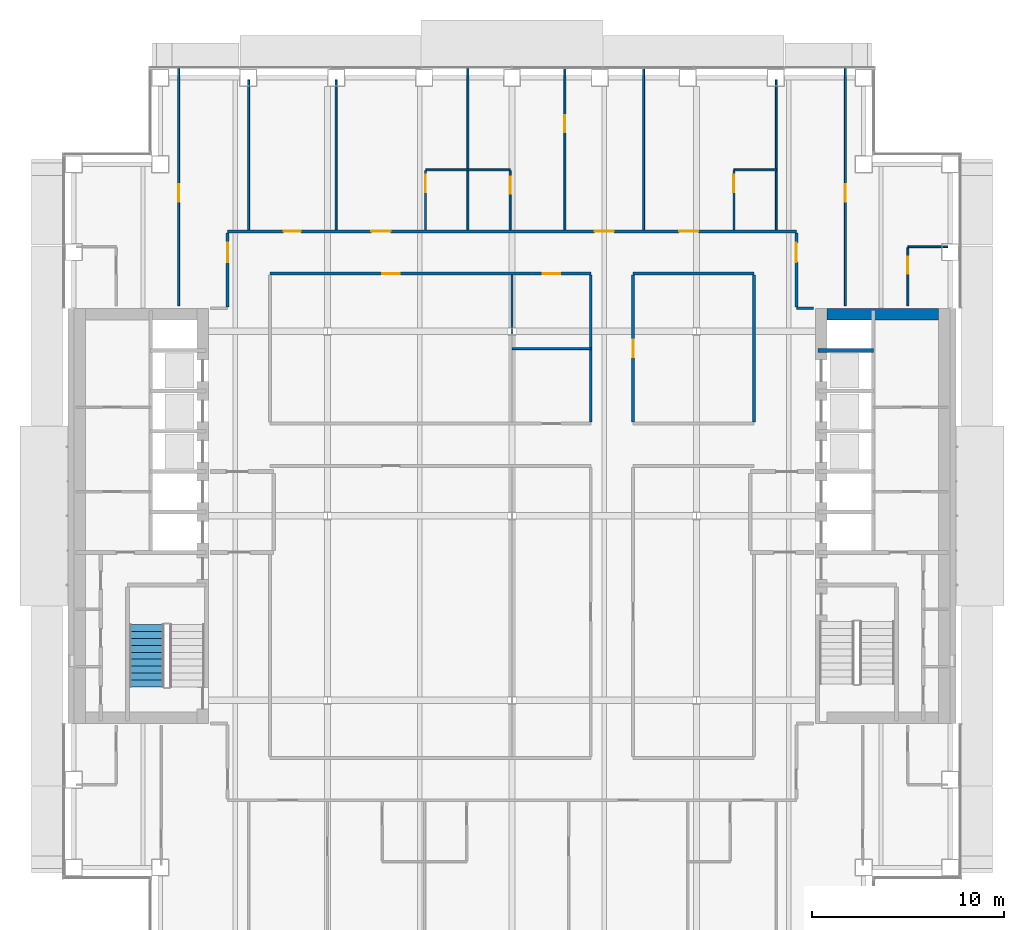
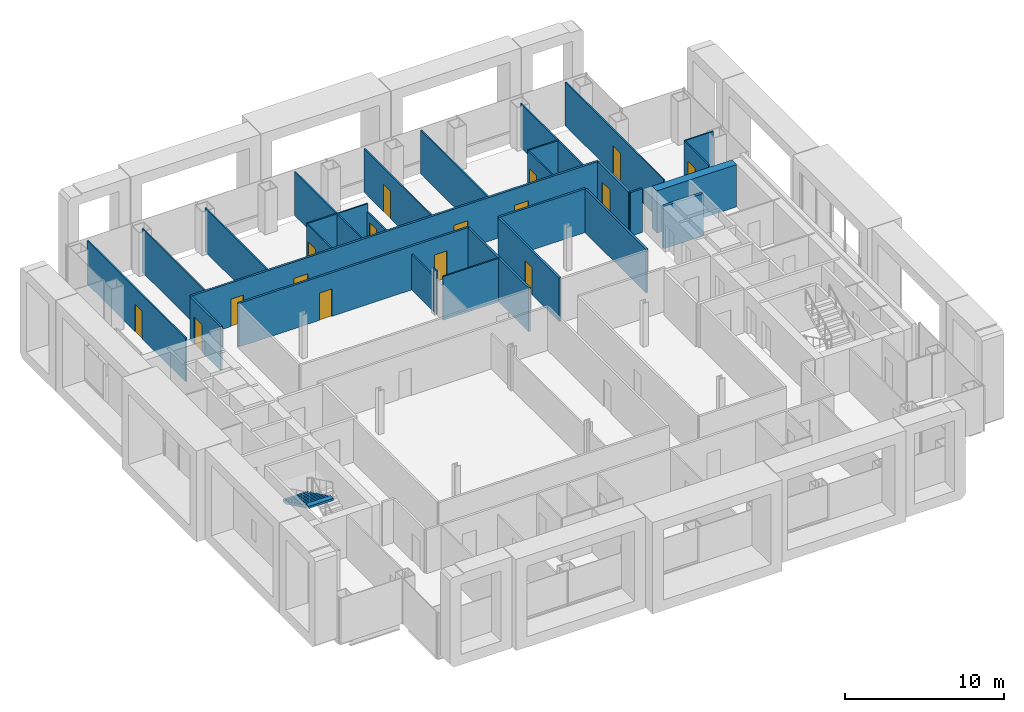
# One storey, part 13 of 20: 30 walls, 16 doors, 1 stair flight, 16 openings, 1 element without a shape of its own.
"""IFC4 building model written with IfcOpenShell, lengths in metres."""

import ifcopenshell
import ifcopenshell.guid

model = None  # the IFC model being written
_history = None  # IfcOwnerHistory: only IFC2X3 demands one
_inside = {}  # id of a spatial element -> (the spatial element, [elements in it])
_under = {}  # id of a project, library or spatial element -> (it, [spatial elements below it])
_declared = {}  # id of a project -> (the project, [libraries it declares])
_typed = {}  # id of a type object -> (the type object, [elements of that type])
_made_of = {}  # id of a material, layer set ... -> (it, [elements and type objects made of it])


def new_model(schema):
    """Start an empty IFC model of exactly this schema.

    Asked for "IFC4X3", IfcOpenShell would pick the latest addendum, in which some entities
    have other attributes; the version numbers below select the first issue.
    IFC2X3 requires an IfcOwnerHistory on every rooted entity: one is made here for all.
    """
    global model, _history
    if schema == "IFC4X3":
        model = ifcopenshell.file(schema_version=(4, 3, 0, 0))
    else:
        model = ifcopenshell.file(schema=schema)
    _inside.clear()
    _under.clear()
    _declared.clear()
    _typed.clear()
    _made_of.clear()
    _history = None
    if model.schema == "IFC2X3":
        org = make("IfcOrganization", Name="unknown")
        user = make(
            "IfcPersonAndOrganization",
            ThePerson=make("IfcPerson", FamilyName="unknown"),
            TheOrganization=org,
        )
        app = make(
            "IfcApplication",
            ApplicationDeveloper=org,
            Version="unknown",
            ApplicationFullName="unknown",
            ApplicationIdentifier="unknown",
        )
        _history = make(
            "IfcOwnerHistory",
            OwningUser=user,
            OwningApplication=app,
            ChangeAction="ADDED",
            CreationDate=0,
        )
    return model


def make(cls, **values):
    """One entity of the class cls with the attributes given. An attribute that is None is left unset."""
    return model.create_entity(
        cls, **{name: value for name, value in values.items() if value is not None}
    )


def rooted(cls, **values):
    """An entity with a GlobalId (a new one), such as an element, a storey or a relation."""
    return make(cls, GlobalId=ifcopenshell.guid.new(), OwnerHistory=_history, **values)


def si_unit(unit_type, name, prefix=None):
    """IfcSIUnit, for example si_unit("LENGTHUNIT", "METRE", prefix="MILLI")."""
    return make("IfcSIUnit", UnitType=unit_type, Prefix=prefix, Name=name)


def assignment(units):
    """IfcUnitAssignment: the units of a project."""
    return None if units is None else make("IfcUnitAssignment", Units=units)


def point(xyz):
    """IfcCartesianPoint."""
    return None if xyz is None else make("IfcCartesianPoint", Coordinates=xyz)


def direction(xyz):
    """IfcDirection."""
    return None if xyz is None else make("IfcDirection", DirectionRatios=xyz)


def frame(location, z_axis=None, x_axis=None):
    """IfcAxis2Placement3D, a coordinate frame: its origin and axes. An axis left out is left unset."""
    return make(
        "IfcAxis2Placement3D",
        Location=point(location),
        Axis=direction(z_axis),
        RefDirection=direction(x_axis),
    )


def frame_2d(location, x_axis=None):
    """IfcAxis2Placement2D, a coordinate frame in the plane: its origin and x axis."""
    return make(
        "IfcAxis2Placement2D", Location=point(location), RefDirection=direction(x_axis)
    )


def origin():
    """The frame at (0, 0, 0) with its axes left unset."""
    return frame((0.0, 0.0, 0.0))


def place(relative_to, where):
    """IfcLocalPlacement: puts the frame where relative to a parent placement (None: the world)."""
    return make(
        "IfcLocalPlacement", PlacementRelTo=relative_to, RelativePlacement=where
    )


def context(
    kind, dimensions, precision=None, world=None, true_north=None, identifier=None
):
    """IfcGeometricRepresentationContext, for example the 3D "Model" context."""
    return make(
        "IfcGeometricRepresentationContext",
        ContextIdentifier=identifier,
        ContextType=kind,
        CoordinateSpaceDimension=dimensions,
        Precision=precision,
        WorldCoordinateSystem=world,
        TrueNorth=true_north,
    )


def subcontext(parent, identifier, kind, view, scale=None):
    """IfcGeometricRepresentationSubContext, for example "Body" below "Model"."""
    return make(
        "IfcGeometricRepresentationSubContext",
        ContextIdentifier=identifier,
        ContextType=kind,
        ParentContext=parent,
        TargetScale=scale,
        TargetView=view,
    )


def project(units=None, contexts=None):
    """IfcProject with its units and contexts."""
    return rooted(
        "IfcProject",
        Name="project",
        RepresentationContexts=contexts,
        UnitsInContext=assignment(units),
    )


def spatial(cls, under=None, at=None, **own):
    """A site, building, storey or space (cls), placed at a placement, below another one or the project."""
    s = rooted(cls, ObjectPlacement=at, **own)
    if under is not None:
        _under.setdefault(under.id(), (under, []))[1].append(s)
    return s


def polyline(points):
    """IfcPolyline through the points."""
    return make("IfcPolyline", Points=[point(p) for p in points])


def profile(cls, at=None, kind="AREA", **sizes):
    """A parametric profile (cls). Its sizes go by their IFC names, for example OverallWidth=200.0."""
    return make(cls, ProfileType=kind, Position=at, **sizes)


def rectangle(**sizes):
    """IfcRectangleProfileDef."""
    return profile("IfcRectangleProfileDef", **sizes)


def outline(outer, holes=None, kind="AREA"):
    """IfcArbitraryClosedProfileDef: a profile drawn as a closed curve; with holes, ...WithVoids."""
    if holes is None:
        return make("IfcArbitraryClosedProfileDef", ProfileType=kind, OuterCurve=outer)
    return make(
        "IfcArbitraryProfileDefWithVoids",
        ProfileType=kind,
        OuterCurve=outer,
        InnerCurves=holes,
    )


def extrude(swept, where, along, depth):
    """IfcExtrudedAreaSolid: the profile swept, set in the frame where, extruded along a direction by depth."""
    return make(
        "IfcExtrudedAreaSolid",
        SweptArea=swept,
        Position=where,
        ExtrudedDirection=direction(along),
        Depth=depth,
    )


def shape(context_of_items, identifier, shape_type, items):
    """IfcShapeRepresentation: the items that make up one representation, for example the "Body"."""
    return make(
        "IfcShapeRepresentation",
        ContextOfItems=context_of_items,
        RepresentationIdentifier=identifier,
        RepresentationType=shape_type,
        Items=items,
    )


def material(Name=None, Category=None):
    """IfcMaterial."""
    return make("IfcMaterial", Name=Name, Category=Category)


def layer(
    of_material, thickness, ventilated=None, Name=None, Category=None, Priority=None
):
    """IfcMaterialLayer: one layer of a wall or slab, of a material (None: an air gap)."""
    return make(
        "IfcMaterialLayer",
        Material=of_material,
        LayerThickness=thickness,
        IsVentilated=ventilated,
        Name=Name,
        Category=Category,
        Priority=Priority,
    )


def layer_set(layers, Name=None):
    """IfcMaterialLayerSet."""
    return make("IfcMaterialLayerSet", MaterialLayers=layers, LayerSetName=Name)


def made_of(thing, what):
    """Note that an element or type object is made of a material, layer set ...; save() writes the relation."""
    if what is not None:
        _made_of.setdefault(what.id(), (what, []))[1].append(thing)
    return thing


def type_object(cls, material=None, **own):
    """A type object (cls), such as IfcWallType, which elements share."""
    return made_of(rooted(cls, **own), material)


def element(
    cls,
    number,
    at=None,
    inside=None,
    cuts=None,
    type_object=None,
    material=None,
    context=None,
    identifier="Body",
    shape_type=None,
    held_by="IfcProductDefinitionShape",
    body=None,
    shapes=None,
    **own,
):
    """One element of the class cls, such as IfcWall. Its Tag is "e" and its number.

    at: its placement. inside: the storey or other place that contains it. cuts: it is an
    opening in that element (IfcRelVoidsElement). A single representation is given by context,
    identifier, shape_type and body (its items); several are given by shapes. held_by: the class
    of the entity that holds the representations. save() writes the other relations.
    """
    e = rooted(cls, Tag="e%d" % number, ObjectPlacement=at, **own)
    if body is not None:
        shapes = [shape(context, identifier, shape_type, body)]
    if shapes is not None:
        e.Representation = make(held_by, Representations=shapes)
    if inside is not None:
        _inside.setdefault(inside.id(), (inside, []))[1].append(e)
    if cuts is not None:
        rooted(
            "IfcRelVoidsElement", RelatingBuildingElement=cuts, RelatedOpeningElement=e
        )
    if type_object is not None:
        _typed.setdefault(type_object.id(), (type_object, []))[1].append(e)
    return made_of(e, material)


def fill(opening, filler):
    """IfcRelFillsElement: the door or window that sits in an opening."""
    return rooted(
        "IfcRelFillsElement",
        RelatingOpeningElement=opening,
        RelatedBuildingElement=filler,
    )


def aggregate(whole, parts):
    """IfcRelAggregates: a whole, such as a stair, and the parts it consists of."""
    return rooted("IfcRelAggregates", RelatingObject=whole, RelatedObjects=parts)


def save(model, path):
    """Write the relations noted so far, then the file.

    IfcRelAggregates (storeys below a building ...), IfcRelContainedInSpatialStructure (elements
    in a storey), IfcRelDefinesByType, IfcRelAssociatesMaterial and IfcRelDeclares: one each for
    every whole, place, type object, material and project.
    """
    for whole, parts in _under.values():
        aggregate(whole, parts)
    for where, things in _inside.values():
        rooted(
            "IfcRelContainedInSpatialStructure",
            RelatedElements=things,
            RelatingStructure=where,
        )
    for kind, things in _typed.values():
        rooted("IfcRelDefinesByType", RelatedObjects=things, RelatingType=kind)
    for what, things in _made_of.values():
        rooted("IfcRelAssociatesMaterial", RelatedObjects=things, RelatingMaterial=what)
    for by, libraries in _declared.values():
        rooted("IfcRelDeclares", RelatingContext=by, RelatedDefinitions=libraries)
    model.write(path)


model = new_model("IFC4")

# Units and contexts
model_context = context("Model", 3, precision=1e-05, world=origin(), true_north=direction((0.0, 1.0)))
body_context = subcontext(model_context, "Body", "Model", "MODEL_VIEW")
ifc_project = project(units=[si_unit("LENGTHUNIT", "METRE"), si_unit("AREAUNIT", "SQUARE_METRE"), si_unit("VOLUMEUNIT", "CUBIC_METRE"), si_unit("PLANEANGLEUNIT", "RADIAN"), si_unit("MASSUNIT", "GRAM", prefix="KILO")], contexts=[model_context])

# Site, building, storey
site_placement = place(None, origin())
site = spatial("IfcSite", under=ifc_project, at=site_placement, CompositionType="ELEMENT")
building_placement = place(site_placement, origin())
building = spatial("IfcBuilding", under=site, at=building_placement, Name="Cobrizo Arcos Hotel Tower", CompositionType="ELEMENT")
storey_placement = place(building_placement, frame((0.0, 0.0, 110.0)))
storey = spatial("IfcBuildingStorey", under=building, at=storey_placement, Name="L27", CompositionType="ELEMENT", Elevation=110.0)

# Wall
ifc_material_1 = material(Name="Gypsum board partition")
ifc_layer_1 = layer(ifc_material_1, 0.14990234375)
ifc_layer_set_1 = layer_set([ifc_layer_1], Name="Corridor wall EI 60 150")
wall_type_1 = type_object("IfcWallType", Name="Corridor wall EI 60 150", PredefinedType="PARTITIONING", material=ifc_layer_set_1)
wall_1_placement = place(storey_placement, frame((14.800048828125, 10.800048828125, 0.0), z_axis=(0.0, 0.0, 1.0), x_axis=(1.0, 0.0, 0.0)))
element("IfcWall", 1, at=wall_1_placement, inside=storey, type_object=wall_type_1, Name="Partition 042", PredefinedType="PARTITIONING", context=body_context, shape_type="SweptSolid", body=[
    extrude(rectangle(XDim=0.8798828125, YDim=0.14990234375, at=frame_2d((0.43994140625, 0.0))), origin(), (0.0, 0.0, 1.0), 3.35009765625),
])

# Wall, openings, doors
wall_2_placement = place(storey_placement, frame((-12.60009765625, 12.60009765625, 0.0), z_axis=(0.0, 0.0, 1.0), x_axis=(1.0, 0.0, 0.0)))
wall_2 = element("IfcWall", 2, at=wall_2_placement, inside=storey, type_object=wall_type_1, Name="Partition 043", PredefinedType="PARTITIONING", context=body_context, shape_type="SweptSolid", body=[
    extrude(rectangle(XDim=16.7001953125, YDim=0.14990234375, at=frame_2d((8.35009765625, 0.0))), origin(), (0.0, 0.0, 1.0), 3.35009765625),
])
opening_1_placement = place(wall_2_placement, frame((14.199951171875, 0.0, 0.0)))
opening_1 = element("IfcOpeningElement", 3, at=opening_1_placement, cuts=wall_2, Name="Opening ED-14", PredefinedType="OPENING", context=body_context, shape_type="SweptSolid", body=[
    extrude(rectangle(XDim=0.89990234375, YDim=2.10009765625, at=frame_2d((0.449951171875, 1.050048828125))), frame((0.0, 0.0869140625, 0.0), z_axis=(0.0, -1.0, 0.0), x_axis=(1.0, 0.0, 0.0)), (0.0, 0.0, 1.0), 0.173828125),
])
opening_2_placement = place(wall_2_placement, frame((5.85009765625, 0.0, 0.0)))
opening_2 = element("IfcOpeningElement", 4, at=opening_2_placement, cuts=wall_2, Name="Opening RD-22", PredefinedType="OPENING", context=body_context, shape_type="SweptSolid", body=[
    extrude(rectangle(XDim=0.89990234375, YDim=2.10009765625, at=frame_2d((0.449951171875, 1.050048828125))), frame((0.0, 0.0869140625, 0.0), z_axis=(0.0, -1.0, 0.0), x_axis=(1.0, 0.0, 0.0)), (0.0, 0.0, 1.0), 0.173828125),
])
ifc_material_2 = material(Name="Timber door leaf", Category="wood")
door_type_1 = type_object("IfcDoorType", Name="En-suite door 900x2100", OperationType="SINGLE_SWING_LEFT", PredefinedType="DOOR", material=ifc_material_2)
door_1_placement = place(opening_1_placement, origin())
door_1 = element("IfcDoor", 5, at=door_1_placement, inside=storey, type_object=door_type_1, Name="Door ED-14", OperationType="SINGLE_SWING_LEFT", OverallHeight=2.10009765625, OverallWidth=0.89990234375, PredefinedType="DOOR", context=body_context, shape_type="SweptSolid", body=[
    extrude(rectangle(XDim=0.89990234375, YDim=2.10009765625, at=frame_2d((0.449951171875, 1.050048828125))), frame((0.0, 0.02490234375, 0.0), z_axis=(0.0, -1.0, 0.0), x_axis=(1.0, 0.0, 0.0)), (0.0, 0.0, 1.0), 0.050048828125),
])
fill(opening_1, door_1)
door_type_2 = type_object("IfcDoorType", Name="Room door FD30 900x2100", OperationType="SINGLE_SWING_LEFT", PredefinedType="DOOR", material=ifc_material_2)
door_2_placement = place(opening_2_placement, origin())
door_2 = element("IfcDoor", 6, at=door_2_placement, inside=storey, type_object=door_type_2, Name="Door RD-22", OperationType="SINGLE_SWING_RIGHT", OverallHeight=2.10009765625, OverallWidth=0.89990234375, PredefinedType="DOOR", context=body_context, shape_type="SweptSolid", body=[
    extrude(rectangle(XDim=0.89990234375, YDim=2.10009765625, at=frame_2d((0.449951171875, 1.050048828125))), frame((0.0, 0.02490234375, 0.0), z_axis=(0.0, -1.0, 0.0), x_axis=(1.0, 0.0, 0.0)), (0.0, 0.0, 1.0), 0.050048828125),
])
fill(opening_2, door_2)

# Wall
wall_3_placement = place(storey_placement, frame((6.300048828125, 12.60009765625, 0.0), z_axis=(0.0, 0.0, 1.0), x_axis=(1.0, 0.0, 0.0)))
element("IfcWall", 7, at=wall_3_placement, inside=storey, type_object=wall_type_1, Name="Partition 044", PredefinedType="PARTITIONING", context=body_context, shape_type="SweptSolid", body=[
    extrude(rectangle(XDim=6.300048828125, YDim=0.14990234375, at=frame_2d((3.14990234375, 0.0))), origin(), (0.0, 0.0, 1.0), 3.35009765625),
])

# Wall, openings, doors
wall_4_placement = place(storey_placement, frame((-14.800048828125, 14.800048828125, 0.0), z_axis=(0.0, 0.0, 1.0), x_axis=(1.0, 0.0, 0.0)))
wall_4 = element("IfcWall", 8, at=wall_4_placement, inside=storey, type_object=wall_type_1, Name="Partition 047", PredefinedType="PARTITIONING", context=body_context, shape_type="SweptSolid", body=[
    extrude(rectangle(XDim=29.60009765625, YDim=0.14990234375, at=frame_2d((14.800048828125, 0.0))), origin(), (0.0, 0.0, 1.0), 3.35009765625),
])
opening_3_placement = place(wall_4_placement, frame((2.9130859375, 0.0, 0.0)))
opening_3 = element("IfcOpeningElement", 9, at=opening_3_placement, cuts=wall_4, Name="Opening RD-11", PredefinedType="OPENING", context=body_context, shape_type="SweptSolid", body=[
    extrude(rectangle(XDim=0.89990234375, YDim=2.10009765625, at=frame_2d((0.449951171875, 1.050048828125))), frame((0.0, 0.0869140625, 0.0), z_axis=(0.0, -1.0, 0.0), x_axis=(1.0, 0.0, 0.0)), (0.0, 0.0, 1.0), 0.173828125),
])
opening_4_placement = place(wall_4_placement, frame((7.48095703125, 0.0, 0.0)))
opening_4 = element("IfcOpeningElement", 10, at=opening_4_placement, cuts=wall_4, Name="Opening GD-01", PredefinedType="OPENING", context=body_context, shape_type="SweptSolid", body=[
    extrude(rectangle(XDim=1.0, YDim=2.10009765625, at=frame_2d((0.5, 1.050048828125))), frame((0.0, 0.0869140625, 0.0), z_axis=(0.0, -1.0, 0.0), x_axis=(1.0, 0.0, 0.0)), (0.0, 0.0, 1.0), 0.173828125),
])
opening_5_placement = place(wall_4_placement, frame((19.10400390625, 0.0, 0.0)))
opening_5 = element("IfcOpeningElement", 11, at=opening_5_placement, cuts=wall_4, Name="Opening GD-02", PredefinedType="OPENING", context=body_context, shape_type="SweptSolid", body=[
    extrude(rectangle(XDim=1.0, YDim=2.10009765625, at=frame_2d((0.5, 1.050048828125))), frame((0.0, 0.0869140625, 0.0), z_axis=(0.0, -1.0, 0.0), x_axis=(1.0, 0.0, 0.0)), (0.0, 0.0, 1.0), 0.173828125),
])
opening_6_placement = place(wall_4_placement, frame((23.493896484375, 0.0, 0.0)))
opening_6 = element("IfcOpeningElement", 12, at=opening_6_placement, cuts=wall_4, Name="Opening GD-03", PredefinedType="OPENING", context=body_context, shape_type="SweptSolid", body=[
    extrude(rectangle(XDim=1.0, YDim=2.10009765625, at=frame_2d((0.5, 1.050048828125))), frame((0.0, 0.0869140625, 0.0), z_axis=(0.0, -1.0, 0.0), x_axis=(1.0, 0.0, 0.0)), (0.0, 0.0, 1.0), 0.173828125),
])
door_type_3 = type_object("IfcDoorType", Name="Guest room door FD30S 1000x2100", OperationType="SINGLE_SWING_LEFT", PredefinedType="DOOR", material=ifc_material_2)
door_3_placement = place(opening_4_placement, origin())
door_3 = element("IfcDoor", 13, at=door_3_placement, inside=storey, type_object=door_type_3, Name="Door GD-01", OperationType="SINGLE_SWING_LEFT", OverallHeight=2.10009765625, OverallWidth=1.0, PredefinedType="DOOR", context=body_context, shape_type="SweptSolid", body=[
    extrude(rectangle(XDim=1.0, YDim=2.10009765625, at=frame_2d((0.5, 1.050048828125))), frame((0.0, 0.02490234375, 0.0), z_axis=(0.0, -1.0, 0.0), x_axis=(1.0, 0.0, 0.0)), (0.0, 0.0, 1.0), 0.050048828125),
])
fill(opening_4, door_3)
door_4_placement = place(opening_5_placement, origin())
door_4 = element("IfcDoor", 14, at=door_4_placement, inside=storey, type_object=door_type_3, Name="Door GD-02", OperationType="SINGLE_SWING_RIGHT", OverallHeight=2.10009765625, OverallWidth=1.0, PredefinedType="DOOR", context=body_context, shape_type="SweptSolid", body=[
    extrude(rectangle(XDim=1.0, YDim=2.10009765625, at=frame_2d((0.5, 1.050048828125))), frame((0.0, 0.02490234375, 0.0), z_axis=(0.0, -1.0, 0.0), x_axis=(1.0, 0.0, 0.0)), (0.0, 0.0, 1.0), 0.050048828125),
])
fill(opening_5, door_4)
door_5_placement = place(opening_6_placement, origin())
door_5 = element("IfcDoor", 15, at=door_5_placement, inside=storey, type_object=door_type_3, Name="Door GD-03", OperationType="SINGLE_SWING_RIGHT", OverallHeight=2.10009765625, OverallWidth=1.0, PredefinedType="DOOR", context=body_context, shape_type="SweptSolid", body=[
    extrude(rectangle(XDim=1.0, YDim=2.10009765625, at=frame_2d((0.5, 1.050048828125))), frame((0.0, 0.02490234375, 0.0), z_axis=(0.0, -1.0, 0.0), x_axis=(1.0, 0.0, 0.0)), (0.0, 0.0, 1.0), 0.050048828125),
])
fill(opening_6, door_5)
door_6_placement = place(opening_3_placement, origin())
door_6 = element("IfcDoor", 16, at=door_6_placement, inside=storey, type_object=door_type_2, Name="Door RD-11", OperationType="SINGLE_SWING_RIGHT", OverallHeight=2.10009765625, OverallWidth=0.89990234375, PredefinedType="DOOR", context=body_context, shape_type="SweptSolid", body=[
    extrude(rectangle(XDim=0.89990234375, YDim=2.10009765625, at=frame_2d((0.449951171875, 1.050048828125))), frame((0.0, 0.02490234375, 0.0), z_axis=(0.0, -1.0, 0.0), x_axis=(1.0, 0.0, 0.0)), (0.0, 0.0, 1.0), 0.050048828125),
])
fill(opening_3, door_6)

# Wall, opening, door
wall_5_placement = place(storey_placement, frame((-14.800048828125, 10.875, 0.0), z_axis=(0.0, 0.0, 1.0), x_axis=(0.0, 1.0, 0.0)))
wall_5 = element("IfcWall", 17, at=wall_5_placement, inside=storey, type_object=wall_type_1, Name="Partition 058", PredefinedType="PARTITIONING", context=body_context, shape_type="SweptSolid", body=[
    extrude(rectangle(XDim=3.85009765625, YDim=0.14990234375, at=frame_2d((1.925048828125, 0.0))), origin(), (0.0, 0.0, 1.0), 3.35009765625),
])
opening_7_placement = place(wall_5_placement, frame((2.324951171875, 0.0, 0.0)))
opening_7 = element("IfcOpeningElement", 18, at=opening_7_placement, cuts=wall_5, Name="Opening GD-08", PredefinedType="OPENING", context=body_context, shape_type="SweptSolid", body=[
    extrude(rectangle(XDim=1.0, YDim=2.10009765625, at=frame_2d((0.5, 1.050048828125))), frame((0.0, 0.0869140625, 0.0), z_axis=(0.0, -1.0, 0.0), x_axis=(1.0, 0.0, 0.0)), (0.0, 0.0, 1.0), 0.173828125),
])
door_7_placement = place(opening_7_placement, origin())
door_7 = element("IfcDoor", 19, at=door_7_placement, inside=storey, type_object=door_type_3, Name="Door GD-08", OperationType="SINGLE_SWING_LEFT", OverallHeight=2.10009765625, OverallWidth=1.0, PredefinedType="DOOR", context=body_context, shape_type="SweptSolid", body=[
    extrude(rectangle(XDim=1.0, YDim=2.10009765625, at=frame_2d((0.5, 1.050048828125))), frame((0.0, 0.02490234375, 0.0), z_axis=(0.0, -1.0, 0.0), x_axis=(1.0, 0.0, 0.0)), (0.0, 0.0, 1.0), 0.050048828125),
])
fill(opening_7, door_7)

# Wall
wall_6_placement = place(storey_placement, frame((4.10009765625, 4.875, 0.0), z_axis=(0.0, 0.0, 1.0), x_axis=(0.0, 1.0, 0.0)))
element("IfcWall", 20, at=wall_6_placement, inside=storey, type_object=wall_type_1, Name="Partition 086", PredefinedType="PARTITIONING", context=body_context, shape_type="SweptSolid", body=[
    extrude(rectangle(XDim=7.64990234375, YDim=0.14990234375, at=frame_2d((3.824951171875, 0.0))), origin(), (0.0, 0.0, 1.0), 3.35009765625),
])

# Wall, opening, door
wall_7_placement = place(storey_placement, frame((6.300048828125, 4.875, 0.0), z_axis=(0.0, 0.0, 1.0), x_axis=(0.0, 1.0, 0.0)))
wall_7 = element("IfcWall", 21, at=wall_7_placement, inside=storey, type_object=wall_type_1, Name="Partition 088", PredefinedType="PARTITIONING", context=body_context, shape_type="SweptSolid", body=[
    extrude(rectangle(XDim=7.64990234375, YDim=0.14990234375, at=frame_2d((3.824951171875, 0.0))), origin(), (0.0, 0.0, 1.0), 3.35009765625),
])
opening_8_placement = place(wall_7_placement, frame((3.375, 0.0, 0.0)))
opening_8 = element("IfcOpeningElement", 22, at=opening_8_placement, cuts=wall_7, Name="Opening RD-19", PredefinedType="OPENING", context=body_context, shape_type="SweptSolid", body=[
    extrude(rectangle(XDim=0.89990234375, YDim=2.10009765625, at=frame_2d((0.449951171875, 1.050048828125))), frame((0.0, 0.0869140625, 0.0), z_axis=(0.0, -1.0, 0.0), x_axis=(1.0, 0.0, 0.0)), (0.0, 0.0, 1.0), 0.173828125),
])
door_8_placement = place(opening_8_placement, origin())
door_8 = element("IfcDoor", 23, at=door_8_placement, inside=storey, type_object=door_type_2, Name="Door RD-19", OperationType="SINGLE_SWING_RIGHT", OverallHeight=2.10009765625, OverallWidth=0.89990234375, PredefinedType="DOOR", context=body_context, shape_type="SweptSolid", body=[
    extrude(rectangle(XDim=0.89990234375, YDim=2.10009765625, at=frame_2d((0.449951171875, 1.050048828125))), frame((0.0, 0.02490234375, 0.0), z_axis=(0.0, -1.0, 0.0), x_axis=(1.0, 0.0, 0.0)), (0.0, 0.0, 1.0), 0.050048828125),
])
fill(opening_8, door_8)

# Wall
wall_8_placement = place(storey_placement, frame((12.60009765625, 4.875, 0.0), z_axis=(0.0, 0.0, 1.0), x_axis=(0.0, 1.0, 0.0)))
element("IfcWall", 24, at=wall_8_placement, inside=storey, type_object=wall_type_1, Name="Partition 095", PredefinedType="PARTITIONING", context=body_context, shape_type="SweptSolid", body=[
    extrude(rectangle(XDim=7.64990234375, YDim=0.14990234375, at=frame_2d((3.824951171875, 0.0))), origin(), (0.0, 0.0, 1.0), 3.35009765625),
])

# Wall, opening, door
wall_9_placement = place(storey_placement, frame((14.800048828125, 10.875, 0.0), z_axis=(0.0, 0.0, 1.0), x_axis=(0.0, 1.0, 0.0)))
wall_9 = element("IfcWall", 25, at=wall_9_placement, inside=storey, type_object=wall_type_1, Name="Partition 099", PredefinedType="PARTITIONING", context=body_context, shape_type="SweptSolid", body=[
    extrude(rectangle(XDim=3.85009765625, YDim=0.14990234375, at=frame_2d((1.925048828125, 0.0))), origin(), (0.0, 0.0, 1.0), 3.35009765625),
])
opening_9_placement = place(wall_9_placement, frame((2.324951171875, 0.0, 0.0)))
opening_9 = element("IfcOpeningElement", 26, at=opening_9_placement, cuts=wall_9, Name="Opening GD-10", PredefinedType="OPENING", context=body_context, shape_type="SweptSolid", body=[
    extrude(rectangle(XDim=1.0, YDim=2.10009765625, at=frame_2d((0.5, 1.050048828125))), frame((0.0, 0.0869140625, 0.0), z_axis=(0.0, -1.0, 0.0), x_axis=(1.0, 0.0, 0.0)), (0.0, 0.0, 1.0), 0.173828125),
])
door_9_placement = place(opening_9_placement, origin())
door_9 = element("IfcDoor", 27, at=door_9_placement, inside=storey, type_object=door_type_3, Name="Door GD-10", OperationType="SINGLE_SWING_RIGHT", OverallHeight=2.10009765625, OverallWidth=1.0, PredefinedType="DOOR", context=body_context, shape_type="SweptSolid", body=[
    extrude(rectangle(XDim=1.0, YDim=2.10009765625, at=frame_2d((0.5, 1.050048828125))), frame((0.0, 0.02490234375, 0.0), z_axis=(0.0, -1.0, 0.0), x_axis=(1.0, 0.0, 0.0)), (0.0, 0.0, 1.0), 0.050048828125),
])
fill(opening_9, door_9)

# Walls
ifc_layer_2 = layer(ifc_material_1, 0.10009765625)
ifc_layer_set_2 = layer_set([ifc_layer_2], Name="Partition EI 30 100")
wall_type_2 = type_object("IfcWallType", Name="Partition EI 30 100", PredefinedType="PARTITIONING", material=ifc_layer_set_2)
wall_10_placement = place(storey_placement, frame((0.0, 8.699951171875, 0.0), z_axis=(0.0, 0.0, 1.0), x_axis=(1.0, 0.0, 0.0)))
element("IfcWall", 28, at=wall_10_placement, inside=storey, type_object=wall_type_2, Name="Partition 040", PredefinedType="PARTITIONING", context=body_context, shape_type="SweptSolid", body=[
    extrude(rectangle(XDim=4.10009765625, YDim=0.10009765625, at=frame_2d((2.050048828125, 0.0))), origin(), (0.0, 0.0, 1.0), 3.35009765625),
])
wall_11_placement = place(storey_placement, frame((20.60009765625, 14.0, 0.0), z_axis=(0.0, 0.0, 1.0), x_axis=(1.0, 0.0, 0.0)))
element("IfcWall", 29, at=wall_11_placement, inside=storey, type_object=wall_type_2, Name="Partition 046", PredefinedType="PARTITIONING", context=body_context, shape_type="SweptSolid", body=[
    extrude(rectangle(XDim=2.079833984375, YDim=0.10009765625, at=frame_2d((1.0400390625, 0.0))), origin(), (0.0, 0.0, 1.0), 3.35009765625),
])
wall_12_placement = place(storey_placement, frame((-4.5, 18.0, 0.0), z_axis=(0.0, 0.0, 1.0), x_axis=(1.0, 0.0, 0.0)))
element("IfcWall", 30, at=wall_12_placement, inside=storey, type_object=wall_type_2, Name="Partition 048", PredefinedType="PARTITIONING", context=body_context, shape_type="SweptSolid", body=[
    extrude(rectangle(XDim=4.39990234375, YDim=0.10009765625, at=frame_2d((2.199951171875, 0.0))), origin(), (0.0, 0.0, 1.0), 3.35009765625),
])
wall_13_placement = place(storey_placement, frame((11.550048828125, 18.0, 0.0), z_axis=(0.0, 0.0, 1.0), x_axis=(1.0, 0.0, 0.0)))
element("IfcWall", 31, at=wall_13_placement, inside=storey, type_object=wall_type_2, Name="Partition 049", PredefinedType="PARTITIONING", context=body_context, shape_type="SweptSolid", body=[
    extrude(rectangle(XDim=2.199951171875, YDim=0.10009765625, at=frame_2d((1.10009765625, 0.0))), origin(), (0.0, 0.0, 1.0), 3.35009765625),
])

# Wall, opening, door
wall_14_placement = place(storey_placement, frame((-17.35009765625, 10.919921875, 0.0), z_axis=(0.0, 0.0, 1.0), x_axis=(0.0, 1.0, 0.0)))
wall_14 = element("IfcWall", 32, at=wall_14_placement, inside=storey, type_object=wall_type_2, Name="Partition 056", PredefinedType="PARTITIONING", context=body_context, shape_type="SweptSolid", body=[
    extrude(rectangle(XDim=12.360107421875, YDim=0.10009765625, at=frame_2d((6.18017578125, 0.0))), origin(), (0.0, 0.0, 1.0), 3.35009765625),
])
opening_10_placement = place(wall_14_placement, frame((5.429931640625, 0.0, 0.0)))
opening_10 = element("IfcOpeningElement", 33, at=opening_10_placement, cuts=wall_14, Name="Opening RD-16", PredefinedType="OPENING", context=body_context, shape_type="SweptSolid", body=[
    extrude(rectangle(XDim=0.89990234375, YDim=2.10009765625, at=frame_2d((0.449951171875, 1.050048828125))), frame((0.0, 0.06201171875, 0.0), z_axis=(0.0, -1.0, 0.0), x_axis=(1.0, 0.0, 0.0)), (0.0, 0.0, 1.0), 0.1240234375),
])
door_10_placement = place(opening_10_placement, origin())
door_10 = element("IfcDoor", 34, at=door_10_placement, inside=storey, type_object=door_type_2, Name="Door RD-16", OperationType="SINGLE_SWING_RIGHT", OverallHeight=2.10009765625, OverallWidth=0.89990234375, PredefinedType="DOOR", context=body_context, shape_type="SweptSolid", body=[
    extrude(rectangle(XDim=0.89990234375, YDim=2.10009765625, at=frame_2d((0.449951171875, 1.050048828125))), frame((0.0, 0.02490234375, 0.0), z_axis=(0.0, -1.0, 0.0), x_axis=(1.0, 0.0, 0.0)), (0.0, 0.0, 1.0), 0.050048828125),
])
fill(opening_10, door_10)

# Walls
for number, where, z_axis, x_axis, name in (
    (35, (-13.699951171875, 14.875, 0.0), (0.0, 0.0, 1.0), (0.0, 1.0, 0.0), "Partition 060"),
    (36, (-9.14990234375, 14.875, 0.0), (0.0, 0.0, 1.0), (0.0, 1.0, 0.0), "Partition 066"),
):
    element("IfcWall", number, at=place(storey_placement, frame(where, z_axis=z_axis, x_axis=x_axis)), inside=storey, type_object=wall_type_2, Name=name, PredefinedType="PARTITIONING", context=body_context, shape_type="SweptSolid", body=[
        extrude(rectangle(XDim=7.804931640625, YDim=0.10009765625, at=frame_2d((3.90234375, 0.0))), origin(), (0.0, 0.0, 1.0), 3.35009765625),
    ])

# Wall, opening, door
wall_15_placement = place(storey_placement, frame((-4.5, 14.875, 0.0), z_axis=(0.0, 0.0, 1.0), x_axis=(0.0, 1.0, 0.0)))
wall_15 = element("IfcWall", 37, at=wall_15_placement, inside=storey, type_object=wall_type_2, Name="Partition 070", PredefinedType="PARTITIONING", context=body_context, shape_type="SweptSolid", body=[
    extrude(rectangle(XDim=3.074951171875, YDim=0.10009765625, at=frame_2d((1.53759765625, 0.0))), origin(), (0.0, 0.0, 1.0), 3.35009765625),
])
opening_11_placement = place(wall_15_placement, frame((1.970947265625, 0.0, 0.0)))
opening_11 = element("IfcOpeningElement", 38, at=opening_11_placement, cuts=wall_15, Name="Opening ED-03", PredefinedType="OPENING", context=body_context, shape_type="SweptSolid", body=[
    extrude(rectangle(XDim=0.89990234375, YDim=2.10009765625, at=frame_2d((0.449951171875, 1.050048828125))), frame((0.0, 0.06201171875, 0.0), z_axis=(0.0, -1.0, 0.0), x_axis=(1.0, 0.0, 0.0)), (0.0, 0.0, 1.0), 0.1240234375),
])
door_11_placement = place(opening_11_placement, origin())
door_11 = element("IfcDoor", 39, at=door_11_placement, inside=storey, type_object=door_type_1, Name="Door ED-03", OperationType="SINGLE_SWING_LEFT", OverallHeight=2.10009765625, OverallWidth=0.89990234375, PredefinedType="DOOR", context=body_context, shape_type="SweptSolid", body=[
    extrude(rectangle(XDim=0.89990234375, YDim=2.10009765625, at=frame_2d((0.449951171875, 1.050048828125))), frame((0.0, 0.02490234375, 0.0), z_axis=(0.0, -1.0, 0.0), x_axis=(1.0, 0.0, 0.0)), (0.0, 0.0, 1.0), 0.050048828125),
])
fill(opening_11, door_11)

# Walls
wall_16_placement = place(storey_placement, frame((-2.300048828125, 14.875, 0.0), z_axis=(0.0, 0.0, 1.0), x_axis=(0.0, 1.0, 0.0)))
element("IfcWall", 40, at=wall_16_placement, inside=storey, type_object=wall_type_2, Name="Partition 072", PredefinedType="PARTITIONING", context=body_context, shape_type="SweptSolid", body=[
    extrude(rectangle(XDim=3.074951171875, YDim=0.10009765625, at=frame_2d((1.53759765625, 0.0))), origin(), (0.0, 0.0, 1.0), 3.35009765625),
])
wall_17_placement = place(storey_placement, frame((-2.300048828125, 18.050048828125, 0.0), z_axis=(0.0, 0.0, 1.0), x_axis=(0.0, 1.0, 0.0)))
element("IfcWall", 41, at=wall_17_placement, inside=storey, type_object=wall_type_2, Name="Partition 073", PredefinedType="PARTITIONING", context=body_context, shape_type="SweptSolid", body=[
    extrude(rectangle(XDim=5.22998046875, YDim=0.10009765625, at=frame_2d((2.614990234375, 0.0))), origin(), (0.0, 0.0, 1.0), 3.35009765625),
])

# Wall, opening, door
wall_18_placement = place(storey_placement, frame((-0.10009765625, 14.875, 0.0), z_axis=(0.0, 0.0, 1.0), x_axis=(0.0, 1.0, 0.0)))
wall_18 = element("IfcWall", 42, at=wall_18_placement, inside=storey, type_object=wall_type_2, Name="Partition 074", PredefinedType="PARTITIONING", context=body_context, shape_type="SweptSolid", body=[
    extrude(rectangle(XDim=3.074951171875, YDim=0.10009765625, at=frame_2d((1.53759765625, 0.0))), origin(), (0.0, 0.0, 1.0), 2.72802734375),
])
opening_12_placement = place(wall_18_placement, frame((1.875, 0.0, 0.0)))
opening_12 = element("IfcOpeningElement", 43, at=opening_12_placement, cuts=wall_18, Name="Opening ED-04", PredefinedType="OPENING", context=body_context, shape_type="SweptSolid", body=[
    extrude(rectangle(XDim=0.89990234375, YDim=2.10009765625, at=frame_2d((0.449951171875, 1.050048828125))), frame((0.0, 0.06201171875, 0.0), z_axis=(0.0, -1.0, 0.0), x_axis=(1.0, 0.0, 0.0)), (0.0, 0.0, 1.0), 0.1240234375),
])
door_12_placement = place(opening_12_placement, origin())
door_12 = element("IfcDoor", 44, at=door_12_placement, inside=storey, type_object=door_type_1, Name="Door ED-04", OperationType="SINGLE_SWING_LEFT", OverallHeight=2.10009765625, OverallWidth=0.89990234375, PredefinedType="DOOR", context=body_context, shape_type="SweptSolid", body=[
    extrude(rectangle(XDim=0.89990234375, YDim=2.10009765625, at=frame_2d((0.449951171875, 1.050048828125))), frame((0.0, 0.02490234375, 0.0), z_axis=(0.0, -1.0, 0.0), x_axis=(1.0, 0.0, 0.0)), (0.0, 0.0, 1.0), 0.050048828125),
])
fill(opening_12, door_12)

# Walls
wall_19_placement = place(storey_placement, frame((0.0, 9.40087890625, 0.0), z_axis=(0.0, 0.0, 1.0), x_axis=(0.0, 1.0, 0.0)))
element("IfcWall", 45, at=wall_19_placement, inside=storey, type_object=wall_type_2, Name="Partition 081", PredefinedType="PARTITIONING", context=body_context, shape_type="SweptSolid", body=[
    extrude(rectangle(XDim=0.398193359375, YDim=0.10009765625, at=frame_2d((0.19921875, 0.0))), origin(), (0.0, 0.0, 1.0), 3.35009765625),
])
wall_20_placement = place(storey_placement, frame((0.0, 9.799072265625, 0.0), z_axis=(0.0, 0.0, 1.0), x_axis=(0.0, 1.0, 0.0)))
element("IfcWall", 46, at=wall_20_placement, inside=storey, type_object=wall_type_2, Name="Partition 082", PredefinedType="PARTITIONING", context=body_context, shape_type="SweptSolid", body=[
    extrude(rectangle(XDim=2.725830078125, YDim=0.10009765625, at=frame_2d((1.36279296875, 0.0))), origin(), (0.0, 0.0, 1.0), 2.72802734375),
])

# Wall, opening, door
wall_21_placement = place(storey_placement, frame((2.75, 14.875, 0.0), z_axis=(0.0, 0.0, 1.0), x_axis=(0.0, 1.0, 0.0)))
wall_21 = element("IfcWall", 47, at=wall_21_placement, inside=storey, type_object=wall_type_2, Name="Partition 083", PredefinedType="PARTITIONING", context=body_context, shape_type="SweptSolid", body=[
    extrude(rectangle(XDim=8.405029296875, YDim=0.10009765625, at=frame_2d((4.20263671875, 0.0))), origin(), (0.0, 0.0, 1.0), 3.35009765625),
])
opening_13_placement = place(wall_21_placement, frame((5.074951171875, 0.0, 0.0)))
opening_13 = element("IfcOpeningElement", 48, at=opening_13_placement, cuts=wall_21, Name="Opening RD-12", PredefinedType="OPENING", context=body_context, shape_type="SweptSolid", body=[
    extrude(rectangle(XDim=0.89990234375, YDim=2.10009765625, at=frame_2d((0.449951171875, 1.050048828125))), frame((0.0, 0.06201171875, 0.0), z_axis=(0.0, -1.0, 0.0), x_axis=(1.0, 0.0, 0.0)), (0.0, 0.0, 1.0), 0.1240234375),
])
door_13_placement = place(opening_13_placement, origin())
door_13 = element("IfcDoor", 49, at=door_13_placement, inside=storey, type_object=door_type_2, Name="Door RD-12", OperationType="SINGLE_SWING_LEFT", OverallHeight=2.10009765625, OverallWidth=0.89990234375, PredefinedType="DOOR", context=body_context, shape_type="SweptSolid", body=[
    extrude(rectangle(XDim=0.89990234375, YDim=2.10009765625, at=frame_2d((0.449951171875, 1.050048828125))), frame((0.0, 0.02490234375, 0.0), z_axis=(0.0, -1.0, 0.0), x_axis=(1.0, 0.0, 0.0)), (0.0, 0.0, 1.0), 0.050048828125),
])
fill(opening_13, door_13)

# Wall
wall_22_placement = place(storey_placement, frame((6.85009765625, 14.875, 0.0), z_axis=(0.0, 0.0, 1.0), x_axis=(0.0, 1.0, 0.0)))
element("IfcWall", 50, at=wall_22_placement, inside=storey, type_object=wall_type_2, Name="Partition 089", PredefinedType="PARTITIONING", context=body_context, shape_type="SweptSolid", body=[
    extrude(rectangle(XDim=8.405029296875, YDim=0.10009765625, at=frame_2d((4.20263671875, 0.0))), origin(), (0.0, 0.0, 1.0), 3.35009765625),
])

# Wall, opening, door
wall_23_placement = place(storey_placement, frame((11.550048828125, 14.875, 0.0), z_axis=(0.0, 0.0, 1.0), x_axis=(0.0, 1.0, 0.0)))
wall_23 = element("IfcWall", 51, at=wall_23_placement, inside=storey, type_object=wall_type_2, Name="Partition 092", PredefinedType="PARTITIONING", context=body_context, shape_type="SweptSolid", body=[
    extrude(rectangle(XDim=3.074951171875, YDim=0.10009765625, at=frame_2d((1.53759765625, 0.0))), origin(), (0.0, 0.0, 1.0), 3.35009765625),
])
opening_14_placement = place(wall_23_placement, frame((1.970947265625, 0.0, 0.0)))
opening_14 = element("IfcOpeningElement", 52, at=opening_14_placement, cuts=wall_23, Name="Opening ED-05", PredefinedType="OPENING", context=body_context, shape_type="SweptSolid", body=[
    extrude(rectangle(XDim=0.89990234375, YDim=2.10009765625, at=frame_2d((0.449951171875, 1.050048828125))), frame((0.0, 0.06201171875, 0.0), z_axis=(0.0, -1.0, 0.0), x_axis=(1.0, 0.0, 0.0)), (0.0, 0.0, 1.0), 0.1240234375),
])
door_14_placement = place(opening_14_placement, origin())
door_14 = element("IfcDoor", 53, at=door_14_placement, inside=storey, type_object=door_type_1, Name="Door ED-05", OperationType="SINGLE_SWING_LEFT", OverallHeight=2.10009765625, OverallWidth=0.89990234375, PredefinedType="DOOR", context=body_context, shape_type="SweptSolid", body=[
    extrude(rectangle(XDim=0.89990234375, YDim=2.10009765625, at=frame_2d((0.449951171875, 1.050048828125))), frame((0.0, 0.02490234375, 0.0), z_axis=(0.0, -1.0, 0.0), x_axis=(1.0, 0.0, 0.0)), (0.0, 0.0, 1.0), 0.050048828125),
])
fill(opening_14, door_14)

# Wall
wall_24_placement = place(storey_placement, frame((13.75, 14.875, 0.0), z_axis=(0.0, 0.0, 1.0), x_axis=(0.0, 1.0, 0.0)))
element("IfcWall", 54, at=wall_24_placement, inside=storey, type_object=wall_type_2, Name="Partition 097", PredefinedType="PARTITIONING", context=body_context, shape_type="SweptSolid", body=[
    extrude(rectangle(XDim=7.804931640625, YDim=0.10009765625, at=frame_2d((3.90234375, 0.0))), origin(), (0.0, 0.0, 1.0), 3.35009765625),
])

# Wall, opening, door
wall_25_placement = place(storey_placement, frame((17.35009765625, 10.919921875, 0.0), z_axis=(0.0, 0.0, 1.0), x_axis=(0.0, 1.0, 0.0)))
wall_25 = element("IfcWall", 55, at=wall_25_placement, inside=storey, type_object=wall_type_2, Name="Partition 100", PredefinedType="PARTITIONING", context=body_context, shape_type="SweptSolid", body=[
    extrude(rectangle(XDim=12.360107421875, YDim=0.10009765625, at=frame_2d((6.18017578125, 0.0))), origin(), (0.0, 0.0, 1.0), 3.35009765625),
])
opening_15_placement = place(wall_25_placement, frame((5.429931640625, 0.0, 0.0)))
opening_15 = element("IfcOpeningElement", 56, at=opening_15_placement, cuts=wall_25, Name="Opening RD-18", PredefinedType="OPENING", context=body_context, shape_type="SweptSolid", body=[
    extrude(rectangle(XDim=0.89990234375, YDim=2.10009765625, at=frame_2d((0.449951171875, 1.050048828125))), frame((0.0, 0.06201171875, 0.0), z_axis=(0.0, -1.0, 0.0), x_axis=(1.0, 0.0, 0.0)), (0.0, 0.0, 1.0), 0.1240234375),
])
door_15_placement = place(opening_15_placement, origin())
door_15 = element("IfcDoor", 57, at=door_15_placement, inside=storey, type_object=door_type_2, Name="Door RD-18", OperationType="SINGLE_SWING_LEFT", OverallHeight=2.10009765625, OverallWidth=0.89990234375, PredefinedType="DOOR", context=body_context, shape_type="SweptSolid", body=[
    extrude(rectangle(XDim=0.89990234375, YDim=2.10009765625, at=frame_2d((0.449951171875, 1.050048828125))), frame((0.0, 0.02490234375, 0.0), z_axis=(0.0, -1.0, 0.0), x_axis=(1.0, 0.0, 0.0)), (0.0, 0.0, 1.0), 0.050048828125),
])
fill(opening_15, door_15)

wall_26_placement = place(storey_placement, frame((20.60009765625, 10.919921875, 0.0), z_axis=(0.0, 0.0, 1.0), x_axis=(0.0, 1.0, 0.0)))
wall_26 = element("IfcWall", 58, at=wall_26_placement, inside=storey, type_object=wall_type_2, Name="Partition 105", PredefinedType="PARTITIONING", context=body_context, shape_type="SweptSolid", body=[
    extrude(rectangle(XDim=3.030029296875, YDim=0.10009765625, at=frame_2d((1.51513671875, 0.0))), origin(), (0.0, 0.0, 1.0), 3.35009765625),
])
opening_16_placement = place(wall_26_placement, frame((1.669921875, 0.0, 0.0)))
opening_16 = element("IfcOpeningElement", 59, at=opening_16_placement, cuts=wall_26, Name="Opening ED-12", PredefinedType="OPENING", context=body_context, shape_type="SweptSolid", body=[
    extrude(rectangle(XDim=0.89990234375, YDim=2.10009765625, at=frame_2d((0.449951171875, 1.050048828125))), frame((0.0, 0.06201171875, 0.0), z_axis=(0.0, -1.0, 0.0), x_axis=(1.0, 0.0, 0.0)), (0.0, 0.0, 1.0), 0.1240234375),
])
door_16_placement = place(opening_16_placement, origin())
door_16 = element("IfcDoor", 60, at=door_16_placement, inside=storey, type_object=door_type_1, Name="Door ED-12", OperationType="SINGLE_SWING_LEFT", OverallHeight=2.10009765625, OverallWidth=0.89990234375, PredefinedType="DOOR", context=body_context, shape_type="SweptSolid", body=[
    extrude(rectangle(XDim=0.89990234375, YDim=2.10009765625, at=frame_2d((0.449951171875, 1.050048828125))), frame((0.0, 0.02490234375, 0.0), z_axis=(0.0, -1.0, 0.0), x_axis=(1.0, 0.0, 0.0)), (0.0, 0.0, 1.0), 0.050048828125),
])
fill(opening_16, door_16)

# Walls
ifc_material_3 = material(Name="Concrete f'c 50 MPa", Category="concrete")
ifc_layer_3 = layer(ifc_material_3, 0.60009765625)
ifc_layer_set_3 = layer_set([ifc_layer_3], Name="RC core wall 600 f'c 50")
wall_type_3 = type_object("IfcWallType", Name="RC core wall 600 f'c 50", PredefinedType="SHEAR", material=ifc_layer_set_3)
wall_27_placement = place(storey_placement, frame((16.39990234375, 10.5, 0.0), z_axis=(0.0, 0.0, 1.0), x_axis=(1.0, 0.0, 0.0)))
element("IfcWall", 61, at=wall_27_placement, inside=storey, type_object=wall_type_3, Name="Core wall CW2, east core, north end, L27", PredefinedType="SHEAR", context=body_context, shape_type="SweptSolid", body=[
    extrude(rectangle(XDim=5.800048828125, YDim=0.60009765625, at=frame_2d((2.89990234375, 0.0))), origin(), (0.0, 0.0, 1.0), 3.25),
])
ifc_layer_4 = layer(ifc_material_1, 0.199951171875)
ifc_layer_set_4 = layer_set([ifc_layer_4], Name="Shaft wall EI 120 200")
wall_type_4 = type_object("IfcWallType", Name="Shaft wall EI 120 200", PredefinedType="PARTITIONING", material=ifc_layer_set_4)
wall_28_placement = place(storey_placement, frame((15.919921875, 8.60009765625, 0.0), z_axis=(0.0, 0.0, 1.0), x_axis=(1.0, 0.0, 0.0)))
element("IfcWall", 62, at=wall_28_placement, inside=storey, type_object=wall_type_4, Name="Partition 039", PredefinedType="PARTITIONING", context=body_context, shape_type="SweptSolid", body=[
    extrude(rectangle(XDim=2.880126953125, YDim=0.199951171875, at=frame_2d((1.43994140625, 0.0))), origin(), (0.0, 0.0, 1.0), 3.25),
])

# Stair, stair flight
ifc_material_4 = material(Name="Concrete f'c 40 MPa", Category="concrete")
stair_type = type_object("IfcStairType", Name="Exit stair", PredefinedType="HALF_TURN_STAIR", material=ifc_material_4)
stair_placement = place(storey_placement, origin())
stair = element("IfcStair", 63, at=stair_placement, inside=storey, type_object=stair_type, Name="L27 Exit stair ST-W", PredefinedType="HALF_TURN_STAIR")
stair_flight_type = type_object("IfcStairFlightType", Name="Exit stair flight", PredefinedType="STRAIGHT", material=ifc_material_4)
stair_flight_placement = place(storey_placement, frame((-19.0, -5.659912109375, 1.75), z_axis=(0.0, 0.0, 1.0), x_axis=(0.0, -1.0, 0.0)))
stair_flight = element("IfcStairFlight", 64, at=stair_flight_placement, type_object=stair_flight_type, Name="ST-W flight 2", NumberOfRisers=10, NumberOfTreads=9, PredefinedType="STRAIGHT", RiserHeight=0.175, TreadLength=0.36, context=body_context, shape_type="SweptSolid", body=[
    extrude(outline(polyline([(0.0, 0.0), (0.0, 0.175048828125), (0.360107421875, 0.175048828125), (0.360107421875, 0.35009765625), (0.719970703125, 0.35009765625), (0.719970703125, 0.52490234375), (1.080078125, 0.52490234375), (1.080078125, 0.699951171875), (1.43994140625, 0.699951171875), (1.43994140625, 0.875), (1.800048828125, 0.875), (1.800048828125, 1.050048828125), (2.159912109375, 1.050048828125), (2.159912109375, 1.22509765625), (2.52001953125, 1.22509765625), (2.52001953125, 1.39990234375), (2.8798828125, 1.39990234375), (2.8798828125, 1.574951171875), (3.239990234375, 1.574951171875), (3.239990234375, 1.75), (3.239990234375, 1.408203125), (0.3427734375, 0.0), (0.0, 0.0)])), frame((0.0, 0.89990234375, 0.0), z_axis=(0.0, -1.0, 0.0), x_axis=(1.0, 0.0, 0.0)), (0.0, 0.0, 1.0), 1.800048828125),
])
aggregate(stair, [stair_flight])

save(model, "model.ifc")
